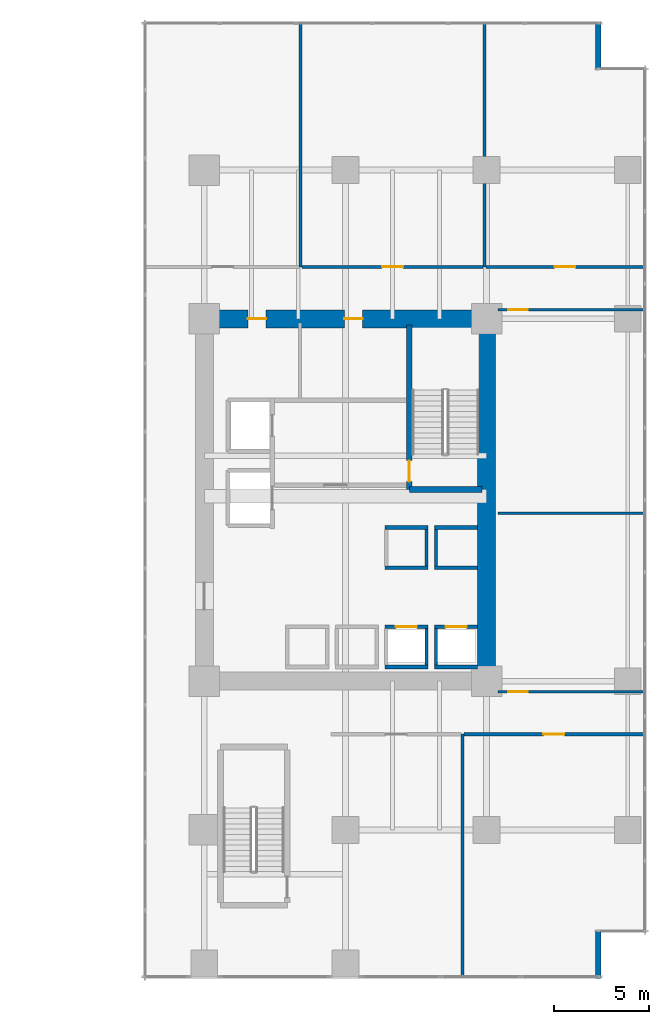
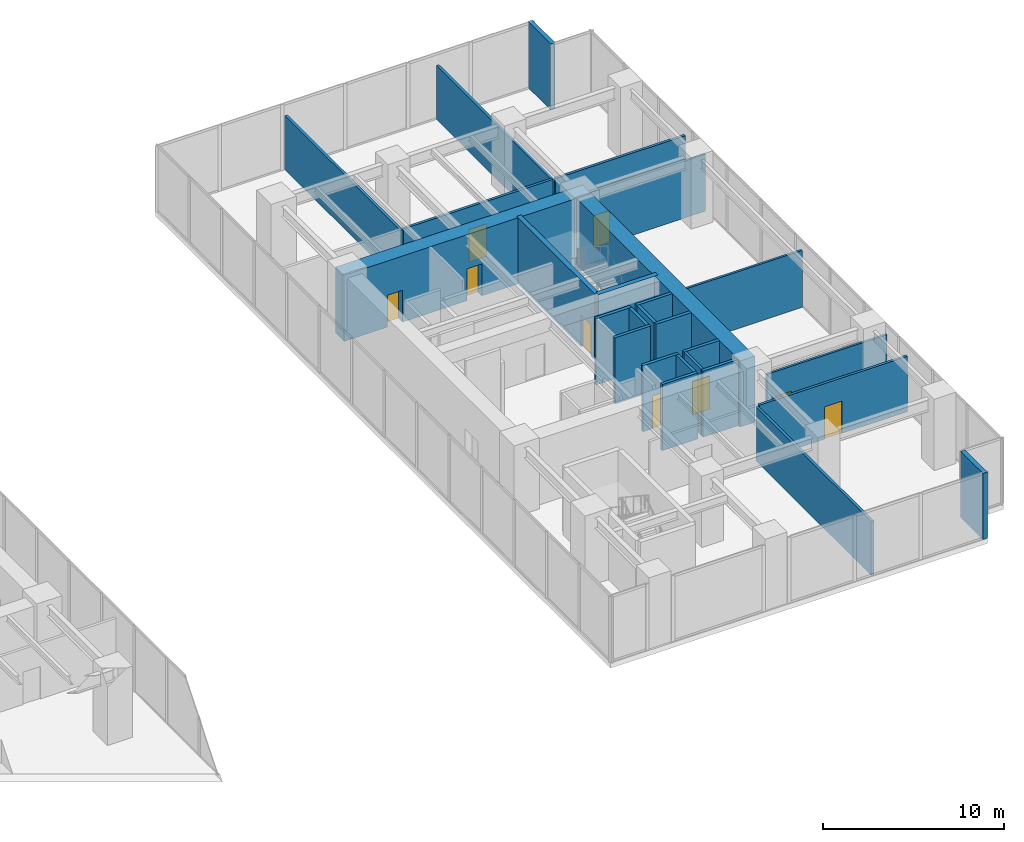
# One storey, part 27 of 32: 27 walls, 10 doors, 10 openings.
"""IFC4 building model written with IfcOpenShell, lengths in metres."""

from ifc_helpers import new_model, si_unit, direction, frame, frame_2d, origin, place, context, subcontext, project, spatial, rectangle, extrude, source, transform, mapped, material, layer, layer_set, type_object, type_shapes, element, fill, save


model = new_model("IFC4")

# Units and contexts
model_context = context("Model", 3, precision=1e-05, world=origin(), true_north=direction((0.0, 1.0)))
body_context = subcontext(model_context, "Body", "Model", "MODEL_VIEW")
ifc_project = project(units=[si_unit("LENGTHUNIT", "METRE"), si_unit("AREAUNIT", "SQUARE_METRE"), si_unit("VOLUMEUNIT", "CUBIC_METRE"), si_unit("PLANEANGLEUNIT", "RADIAN"), si_unit("MASSUNIT", "GRAM", prefix="KILO")], contexts=[model_context])

# Site, building, storey
site_placement = place(None, origin())
site = spatial("IfcSite", under=ifc_project, at=site_placement, CompositionType="ELEMENT")
building_placement = place(site_placement, origin())
building = spatial("IfcBuilding", under=site, at=building_placement, Name="Haelvirn Gate Laboratories", CompositionType="ELEMENT")
storey_placement = place(building_placement, frame((0.0, 0.0, 5.39990234375)))
storey = spatial("IfcBuildingStorey", under=building, at=storey_placement, Name="L02", CompositionType="ELEMENT", Elevation=5.39990234375)

# Walls
ifc_material_1 = material(Name="Thermally-broken bronze aluminium rainscreen & mineral wool", Category="aluminium")
ifc_layer_1 = layer(ifc_material_1, 0.280029296875, Name="EW-TERR-280")
ifc_layer_set_1 = layer_set([ifc_layer_1], Name="Thermally-broken bronze aluminium rainscreen & mineral wool")
wall_type_1 = type_object("IfcWallType", Name="EW-TERR-280", PredefinedType="STANDARD", material=ifc_layer_set_1)
wall_1_placement = place(storey_placement, frame((73.260009765625, -0.800048828125, 0.0), z_axis=(0.0, 0.0, 1.0), x_axis=(0.0, 1.0, 0.0)))
element("IfcWall", 1, at=wall_1_placement, inside=storey, type_object=wall_type_1, Name="L02 Atrium Recess Bronze Return Wall 01", PredefinedType="STANDARD", context=body_context, shape_type="SweptSolid", body=[
    extrude(rectangle(XDim=2.488037109375, YDim=0.280029296875, at=frame_2d((1.244140625, 0.0))), origin(), (0.0, 0.0, 1.0), 4.4501953125),
])
wall_2_placement = place(storey_placement, frame((73.260009765625, 46.912109375, 0.0), z_axis=(0.0, 0.0, 1.0), x_axis=(0.0, 1.0, 0.0)))
element("IfcWall", 2, at=wall_2_placement, inside=storey, type_object=wall_type_1, Name="L02 Atrium Recess Bronze Return Wall 05", PredefinedType="STANDARD", context=body_context, shape_type="SweptSolid", body=[
    extrude(rectangle(XDim=2.48779296875, YDim=0.280029296875, at=frame_2d((1.243896484375, 0.0))), origin(), (0.0, 0.0, 1.0), 4.4501953125),
])
ifc_material_2 = material(Name="Acoustic mineral-wool gypsum board partition", Category="gypsum")
ifc_layer_2 = layer(ifc_material_2, 0.139892578125, Name="IW-PART-140")
ifc_layer_set_2 = layer_set([ifc_layer_2], Name="Acoustic mineral-wool gypsum board partition")
wall_type_2 = type_object("IfcWallType", Name="IW-PART-140", PredefinedType="PARTITIONING", material=ifc_layer_set_2)
wall_3_placement = place(storey_placement, frame((68.0, 23.60009765625, 0.0), z_axis=(0.0, 0.0, 1.0), x_axis=(1.0, 0.0, 0.0)))
element("IfcWall", 3, at=wall_3_placement, inside=storey, type_object=wall_type_2, Name="L02 Interior Wall IW-L02-PODOUT-MID-E", PredefinedType="PARTITIONING", context=body_context, shape_type="SweptSolid", body=[
    extrude(rectangle(XDim=7.64990234375, YDim=0.139892578125, at=frame_2d((3.824951171875, 0.0))), origin(), (0.0, 0.0, 1.0), 3.835205078125),
])

# Wall, opening, door
wall_4_placement = place(storey_placement, frame((68.0, 14.25, 0.0), z_axis=(0.0, 0.0, 1.0), x_axis=(1.0, 0.0, 0.0)))
wall_4 = element("IfcWall", 4, at=wall_4_placement, inside=storey, type_object=wall_type_2, Name="L02 Interior Wall IW-L02-PODOUTW-E-S", PredefinedType="PARTITIONING", context=body_context, shape_type="SweptSolid", body=[
    extrude(rectangle(XDim=7.64990234375, YDim=0.139892578125, at=frame_2d((3.824951171875, 0.0))), origin(), (0.0, 0.0, 1.0), 3.835205078125),
])
opening_1_placement = place(wall_4_placement, frame((0.550048828125, 0.0, 0.0)))
opening_1 = element("IfcOpeningElement", 5, at=opening_1_placement, cuts=wall_4, Name="Opening D2", PredefinedType="OPENING", context=body_context, shape_type="SweptSolid", body=[
    extrude(rectangle(XDim=1.0, YDim=2.14990234375, at=frame_2d((0.5, 1.074951171875))), frame((0.0, 0.080078125, 0.0), z_axis=(0.0, -1.0, 0.0), x_axis=(1.0, 0.0, 0.0)), (0.0, 0.0, 1.0), 0.159912109375),
])
ifc_material_3 = material(Name="Acoustic solid-core timber suite door", Category="wood")
door_type_1 = type_object("IfcDoorType", Name="DR-INT-1000", OperationType="NOTDEFINED", PredefinedType="DOOR", material=ifc_material_3)
shared_shape_1 = source(origin(), body_context, "Body", "SweptSolid", [
    extrude(rectangle(XDim=1.0, YDim=2.14990234375, at=frame_2d((0.5, 1.074951171875))), frame((0.0, 0.02490234375, 0.0), z_axis=(0.0, -1.0, 0.0), x_axis=(1.0, 0.0, 0.0)), (0.0, 0.0, 1.0), 0.050048828125),
])
type_shapes(door_type_1, [shared_shape_1])
door_1_placement = place(opening_1_placement, origin())
door_1 = element("IfcDoor", 6, at=door_1_placement, inside=storey, type_object=door_type_1, Name="L02 Cryo-Preservation Bio-Repository Laboratory Outer Wing Door", OperationType="SINGLE_SWING_LEFT", OverallHeight=2.14990234375, OverallWidth=1.0, PredefinedType="DOOR", context=body_context, shape_type="MappedRepresentation", body=[
    mapped(shared_shape_1, transform((0.0, 0.0, 0.0), scale=1.0)),
])
fill(opening_1, door_1)

wall_5_placement = place(storey_placement, frame((68.0, 34.280029296875, 0.0), z_axis=(0.0, 0.0, 1.0), x_axis=(1.0, 0.0, 0.0)))
wall_5 = element("IfcWall", 7, at=wall_5_placement, inside=storey, type_object=wall_type_2, Name="L02 Interior Wall IW-L02-PODOUTW-E-N", PredefinedType="PARTITIONING", context=body_context, shape_type="SweptSolid", body=[
    extrude(rectangle(XDim=7.64990234375, YDim=0.139892578125, at=frame_2d((3.824951171875, 0.0))), origin(), (0.0, 0.0, 1.0), 3.835205078125),
])
opening_2_placement = place(wall_5_placement, frame((0.550048828125, 0.0, 0.0)))
opening_2 = element("IfcOpeningElement", 8, at=opening_2_placement, cuts=wall_5, Name="Opening D2", PredefinedType="OPENING", context=body_context, shape_type="SweptSolid", body=[
    extrude(rectangle(XDim=1.0, YDim=2.14990234375, at=frame_2d((0.5, 1.074951171875))), frame((0.0, 0.080078125, 0.0), z_axis=(0.0, -1.0, 0.0), x_axis=(1.0, 0.0, 0.0)), (0.0, 0.0, 1.0), 0.159912109375),
])
door_2_placement = place(opening_2_placement, origin())
door_2 = element("IfcDoor", 9, at=door_2_placement, inside=storey, type_object=door_type_1, Name="L02 Genomics Assay Laboratory Outer Wing Door", OperationType="SINGLE_SWING_RIGHT", OverallHeight=2.14990234375, OverallWidth=1.0, PredefinedType="DOOR", context=body_context, shape_type="MappedRepresentation", body=[
    mapped(shared_shape_1, transform((0.0, 0.0, 0.0), scale=1.0)),
])
fill(opening_2, door_2)

# Wall
ifc_material_4 = material(Name="Moisture-resistant gypsum laboratory partition", Category="gypsum")
ifc_layer_3 = layer(ifc_material_4, 0.1650390625, Name="IW-PART-160")
ifc_layer_set_3 = layer_set([ifc_layer_3], Name="Moisture-resistant gypsum laboratory partition")
wall_type_3 = type_object("IfcWallType", Name="IW-PART-160", PredefinedType="PARTITIONING", material=ifc_layer_set_3)
wall_6_placement = place(storey_placement, frame((66.137939453125, -0.68994140625, 0.0), z_axis=(0.0, 0.0, 1.0), x_axis=(0.0, 1.0, 0.0)))
element("IfcWall", 10, at=wall_6_placement, inside=storey, type_object=wall_type_3, Name="L02 Interior Wall IW-L02-PODSDIV-E-1", PredefinedType="PARTITIONING", context=body_context, shape_type="SweptSolid", body=[
    extrude(rectangle(XDim=12.7099609375, YDim=0.1650390625, at=frame_2d((6.35498046875, 0.0))), origin(), (0.0, 0.0, 1.0), 3.635009765625),
])

# Wall, opening, door
wall_7_placement = place(storey_placement, frame((66.218017578125, 12.02001953125, 0.0), z_axis=(0.0, 0.0, 1.0), x_axis=(1.0, 0.0, 0.0)))
wall_7 = element("IfcWall", 11, at=wall_7_placement, inside=storey, type_object=wall_type_3, Name="L02 Interior Wall IW-L02-PODS-E-2", PredefinedType="PARTITIONING", context=body_context, shape_type="SweptSolid", body=[
    extrude(rectangle(XDim=9.431884765625, YDim=0.1650390625, at=frame_2d((4.7158203125, 0.0))), origin(), (0.0, 0.0, 1.0), 3.735107421875),
])
opening_3_placement = place(wall_7_placement, frame((4.166015625, 0.0, 0.0)))
opening_3 = element("IfcOpeningElement", 12, at=opening_3_placement, cuts=wall_7, Name="Opening D1", PredefinedType="OPENING", context=body_context, shape_type="SweptSolid", body=[
    extrude(rectangle(XDim=1.10009765625, YDim=2.179931640625, at=frame_2d((0.550048828125, 1.08984375))), frame((0.0, 0.092529296875, 0.0), z_axis=(0.0, -1.0, 0.0), x_axis=(1.0, 0.0, 0.0)), (0.0, 0.0, 1.0), 0.18505859375),
])
ifc_material_5 = material(Name="Vision-panel acoustic solid-core timber lab door", Category="wood")
door_type_2 = type_object("IfcDoorType", Name="DR-LAB-1100", OperationType="NOTDEFINED", PredefinedType="DOOR", material=ifc_material_5)
shared_shape_2 = source(origin(), body_context, "Body", "SweptSolid", [
    extrude(rectangle(XDim=1.10009765625, YDim=2.179931640625, at=frame_2d((0.550048828125, 1.08984375))), frame((0.0, 0.02490234375, 0.0), z_axis=(0.0, -1.0, 0.0), x_axis=(1.0, 0.0, 0.0)), (0.0, 0.0, 1.0), 0.050048828125),
])
type_shapes(door_type_2, [shared_shape_2])
door_3_placement = place(opening_3_placement, origin())
door_3 = element("IfcDoor", 13, at=door_3_placement, inside=storey, type_object=door_type_2, Name="L02 Research Seminar & Review Room Door", OperationType="SINGLE_SWING_RIGHT", OverallHeight=2.179931640625, OverallWidth=1.10009765625, PredefinedType="DOOR", context=body_context, shape_type="MappedRepresentation", body=[
    mapped(shared_shape_2, transform((0.0, 0.0, 0.0), scale=1.0)),
])
fill(opening_3, door_3)

# Wall
wall_8_placement = place(storey_placement, frame((57.64111328125, 36.52001953125, 0.0), z_axis=(0.0, 0.0, 1.0), x_axis=(0.0, 1.0, 0.0)))
element("IfcWall", 14, at=wall_8_placement, inside=storey, type_object=wall_type_3, Name="L02 Interior Wall IW-L02-PODNDIV-E-1", PredefinedType="PARTITIONING", context=body_context, shape_type="SweptSolid", body=[
    extrude(rectangle(XDim=12.77001953125, YDim=0.1650390625, at=frame_2d((6.385009765625, 0.0))), origin(), (0.0, 0.0, 1.0), 3.635009765625),
])

# Wall, opening, door
wall_9_placement = place(storey_placement, frame((57.720947265625, 36.52001953125, 0.0), z_axis=(0.0, 0.0, 1.0), x_axis=(1.0, 0.0, 0.0)))
wall_9 = element("IfcWall", 15, at=wall_9_placement, inside=storey, type_object=wall_type_3, Name="L02 Interior Wall IW-L02-PODN-E-2", PredefinedType="PARTITIONING", context=body_context, shape_type="SweptSolid", body=[
    extrude(rectangle(XDim=9.4970703125, YDim=0.1650390625, at=frame_2d((4.74853515625, 0.0))), origin(), (0.0, 0.0, 1.0), 3.735107421875),
])
opening_4_placement = place(wall_9_placement, frame((4.198486328125, 0.0, 0.0)))
opening_4 = element("IfcOpeningElement", 16, at=opening_4_placement, cuts=wall_9, Name="Opening D1", PredefinedType="OPENING", context=body_context, shape_type="SweptSolid", body=[
    extrude(rectangle(XDim=1.10009765625, YDim=2.179931640625, at=frame_2d((0.550048828125, 1.08984375))), frame((0.0, 0.092529296875, 0.0), z_axis=(0.0, -1.0, 0.0), x_axis=(1.0, 0.0, 0.0)), (0.0, 0.0, 1.0), 0.18505859375),
])
door_4_placement = place(opening_4_placement, origin())
door_4 = element("IfcDoor", 17, at=door_4_placement, inside=storey, type_object=door_type_2, Name="L02 Bioprocess Foundry Laboratory North Door", OperationType="SINGLE_SWING_LEFT", OverallHeight=2.179931640625, OverallWidth=1.10009765625, PredefinedType="DOOR", context=body_context, shape_type="MappedRepresentation", body=[
    mapped(shared_shape_2, transform((0.0, 0.0, 0.0), scale=1.0)),
])
fill(opening_4, door_4)

# Wall
wall_10_placement = place(storey_placement, frame((67.298095703125, 36.52001953125, 0.0), z_axis=(0.0, 0.0, 1.0), x_axis=(0.0, 1.0, 0.0)))
element("IfcWall", 18, at=wall_10_placement, inside=storey, type_object=wall_type_3, Name="L02 Interior Wall IW-L02-PODNDIV-E-2", PredefinedType="PARTITIONING", context=body_context, shape_type="SweptSolid", body=[
    extrude(rectangle(XDim=12.77001953125, YDim=0.1650390625, at=frame_2d((6.385009765625, 0.0))), origin(), (0.0, 0.0, 1.0), 3.635009765625),
])

# Wall, opening, door
wall_11_placement = place(storey_placement, frame((67.3779296875, 36.52001953125, 0.0), z_axis=(0.0, 0.0, 1.0), x_axis=(1.0, 0.0, 0.0)))
wall_11 = element("IfcWall", 19, at=wall_11_placement, inside=storey, type_object=wall_type_3, Name="L02 Interior Wall IW-L02-PODN-E-3", PredefinedType="PARTITIONING", context=body_context, shape_type="SweptSolid", body=[
    extrude(rectangle(XDim=8.27197265625, YDim=0.1650390625, at=frame_2d((4.135986328125, 0.0))), origin(), (0.0, 0.0, 1.0), 3.735107421875),
])
opening_5_placement = place(wall_11_placement, frame((3.5859375, 0.0, 0.0)))
opening_5 = element("IfcOpeningElement", 20, at=opening_5_placement, cuts=wall_11, Name="Opening D1", PredefinedType="OPENING", context=body_context, shape_type="SweptSolid", body=[
    extrude(rectangle(XDim=1.10009765625, YDim=2.179931640625, at=frame_2d((0.550048828125, 1.08984375))), frame((0.0, 0.092529296875, 0.0), z_axis=(0.0, -1.0, 0.0), x_axis=(1.0, 0.0, 0.0)), (0.0, 0.0, 1.0), 0.18505859375),
])
door_5_placement = place(opening_5_placement, origin())
door_5 = element("IfcDoor", 21, at=door_5_placement, inside=storey, type_object=door_type_2, Name="L02 Genomics Assay Laboratory North Door", OperationType="SINGLE_SWING_RIGHT", OverallHeight=2.179931640625, OverallWidth=1.10009765625, PredefinedType="DOOR", context=body_context, shape_type="MappedRepresentation", body=[
    mapped(shared_shape_2, transform((0.0, 0.0, 0.0), scale=1.0)),
])
fill(opening_5, door_5)

# Walls
ifc_material_6 = material(Name="Concrete C40/50", Category="concrete")
ifc_layer_4 = layer(ifc_material_6, 0.179931640625, Name="IW-SHAFT-180")
ifc_layer_set_4 = layer_set([ifc_layer_4], Name="Concrete C40/50")
wall_type_4 = type_object("IfcWallType", Name="IW-SHAFT-180", PredefinedType="SOLIDWALL", material=ifc_layer_set_4)
for number, where, z_axis, x_axis, name in (
    (22, (64.75, 15.64990234375, 0.0), (0.0, 0.0, 1.0), (0.0, 1.0, 0.0), "L02 Interior Wall IW-L02-PL3-SD"),
    (23, (64.25, 15.64990234375, 0.0), (0.0, 0.0, 1.0), (0.0, 1.0, 0.0), "L02 Interior Wall IW-L02-PL4-SDE"),
):
    element("IfcWall", number, at=place(storey_placement, frame(where, z_axis=z_axis, x_axis=x_axis)), inside=storey, type_object=wall_type_4, Name=name, PredefinedType="SOLIDWALL", context=body_context, shape_type="SweptSolid", body=[
        extrude(rectangle(XDim=1.900146484375, YDim=0.179931640625, at=frame_2d((0.9501953125, 0.0))), origin(), (0.0, 0.0, 1.0), 4.4501953125),
    ])
for number, where, z_axis, x_axis, name in (
    (24, (64.75, 20.85009765625, 0.0), (0.0, 0.0, 1.0), (0.0, 1.0, 0.0), "L02 Interior Wall IW-L02-PL11-SD"),
    (25, (64.25, 20.85009765625, 0.0), (0.0, 0.0, 1.0), (0.0, 1.0, 0.0), "L02 Interior Wall IW-L02-PL12-SDE"),
):
    element("IfcWall", number, at=place(storey_placement, frame(where, z_axis=z_axis, x_axis=x_axis)), inside=storey, type_object=wall_type_4, Name=name, PredefinedType="SOLIDWALL", context=body_context, shape_type="SweptSolid", body=[
        extrude(rectangle(XDim=1.89990234375, YDim=0.179931640625, at=frame_2d((0.949951171875, 0.0))), origin(), (0.0, 0.0, 1.0), 4.4501953125),
    ])

# Wall, opening, door
ifc_layer_5 = layer(ifc_material_6, 0.199951171875, Name="IW-SHAFT-200")
ifc_layer_set_5 = layer_set([ifc_layer_5], Name="Concrete C40/50")
wall_type_5 = type_object("IfcWallType", Name="IW-SHAFT-200", PredefinedType="SOLIDWALL", material=ifc_layer_set_5)
wall_12_placement = place(storey_placement, frame((64.669921875, 17.64990234375, 0.0), z_axis=(0.0, 0.0, 1.0), x_axis=(1.0, 0.0, 0.0)))
wall_12 = element("IfcWall", 26, at=wall_12_placement, inside=storey, type_object=wall_type_5, Name="L02 Interior Wall IW-L02-PL3-FR", PredefinedType="SOLIDWALL", context=body_context, shape_type="SweptSolid", body=[
    extrude(rectangle(XDim=2.260009765625, YDim=0.199951171875, at=frame_2d((1.1298828125, 0.0))), origin(), (0.0, 0.0, 1.0), 4.4501953125),
])
opening_6_placement = place(wall_12_placement, frame((0.580078125, 0.0, 0.0)))
opening_6 = element("IfcOpeningElement", 27, at=opening_6_placement, cuts=wall_12, Name="Opening LD2", PredefinedType="OPENING", context=body_context, shape_type="SweptSolid", body=[
    extrude(rectangle(XDim=1.10009765625, YDim=2.219970703125, at=frame_2d((0.550048828125, 1.10986328125))), frame((0.0, 0.10986328125, 0.0), z_axis=(0.0, -1.0, 0.0), x_axis=(1.0, 0.0, 0.0)), (0.0, 0.0, 1.0), 0.219970703125),
])
ifc_material_7 = material(Name="Bronze stainless 316L sliding lift landing door")
door_type_3 = type_object("IfcDoorType", Name="DR-LD-1100", OperationType="NOTDEFINED", PredefinedType="USERDEFINED", material=ifc_material_7)
shared_shape_3 = source(origin(), body_context, "Body", "SweptSolid", [
    extrude(rectangle(XDim=1.10009765625, YDim=2.219970703125, at=frame_2d((0.550048828125, 1.10986328125))), frame((0.0, 0.02490234375, 0.0), z_axis=(0.0, -1.0, 0.0), x_axis=(1.0, 0.0, 0.0)), (0.0, 0.0, 1.0), 0.050048828125),
])
type_shapes(door_type_3, [shared_shape_3])
door_6_placement = place(opening_6_placement, origin())
door_6 = element("IfcDoor", 28, at=door_6_placement, inside=storey, type_object=door_type_3, Name="L02 Passenger Lift PL3 Landing Door", ObjectType="LANDING_DOOR", OperationType="SLIDING_TO_LEFT", OverallHeight=2.219970703125, OverallWidth=1.10009765625, PredefinedType="USERDEFINED", context=body_context, shape_type="MappedRepresentation", body=[
    mapped(shared_shape_3, transform((0.0, 0.0, 0.0), scale=1.0)),
])
fill(opening_6, door_6)

# Wall
wall_13_placement = place(storey_placement, frame((64.669921875, 15.550048828125, 0.0), z_axis=(0.0, 0.0, 1.0), x_axis=(1.0, 0.0, 0.0)))
element("IfcWall", 29, at=wall_13_placement, inside=storey, type_object=wall_type_5, Name="L02 Interior Wall IW-L02-PL3-BK", PredefinedType="SOLIDWALL", context=body_context, shape_type="SweptSolid", body=[
    extrude(rectangle(XDim=2.260009765625, YDim=0.199951171875, at=frame_2d((1.1298828125, 0.0))), origin(), (0.0, 0.0, 1.0), 4.4501953125),
])

# Wall, opening, door
wall_14_placement = place(storey_placement, frame((62.070068359375, 17.64990234375, 0.0), z_axis=(0.0, 0.0, 1.0), x_axis=(1.0, 0.0, 0.0)))
wall_14 = element("IfcWall", 30, at=wall_14_placement, inside=storey, type_object=wall_type_5, Name="L02 Interior Wall IW-L02-PL4-FR", PredefinedType="SOLIDWALL", context=body_context, shape_type="SweptSolid", body=[
    extrude(rectangle(XDim=2.260009765625, YDim=0.199951171875, at=frame_2d((1.1298828125, 0.0))), origin(), (0.0, 0.0, 1.0), 4.4501953125),
])
opening_7_placement = place(wall_14_placement, frame((0.580078125, 0.0, 0.0)))
opening_7 = element("IfcOpeningElement", 31, at=opening_7_placement, cuts=wall_14, Name="Opening LD2", PredefinedType="OPENING", context=body_context, shape_type="SweptSolid", body=[
    extrude(rectangle(XDim=1.10009765625, YDim=2.219970703125, at=frame_2d((0.550048828125, 1.10986328125))), frame((0.0, 0.10986328125, 0.0), z_axis=(0.0, -1.0, 0.0), x_axis=(1.0, 0.0, 0.0)), (0.0, 0.0, 1.0), 0.219970703125),
])
door_7_placement = place(opening_7_placement, origin())
door_7 = element("IfcDoor", 32, at=door_7_placement, inside=storey, type_object=door_type_3, Name="L02 Passenger Lift PL4 Landing Door", ObjectType="LANDING_DOOR", OperationType="SLIDING_TO_RIGHT", OverallHeight=2.219970703125, OverallWidth=1.10009765625, PredefinedType="USERDEFINED", context=body_context, shape_type="MappedRepresentation", body=[
    mapped(shared_shape_3, transform((0.0, 0.0, 0.0), scale=1.0)),
])
fill(opening_7, door_7)

# Walls
for number, where, z_axis, x_axis, name in (
    (33, (62.070068359375, 15.550048828125, 0.0), (0.0, 0.0, 1.0), (1.0, 0.0, 0.0), "L02 Interior Wall IW-L02-PL4-BK"),
    (34, (64.669921875, 20.75, 0.0), (0.0, 0.0, 1.0), (1.0, 0.0, 0.0), "L02 Interior Wall IW-L02-PL11-FR"),
    (35, (64.669921875, 22.85009765625, 0.0), (0.0, 0.0, 1.0), (1.0, 0.0, 0.0), "L02 Interior Wall IW-L02-PL11-BK"),
    (36, (62.070068359375, 20.75, 0.0), (0.0, 0.0, 1.0), (1.0, 0.0, 0.0), "L02 Interior Wall IW-L02-PL12-FR"),
    (37, (62.070068359375, 22.85009765625, 0.0), (0.0, 0.0, 1.0), (1.0, 0.0, 0.0), "L02 Interior Wall IW-L02-PL12-BK"),
):
    element("IfcWall", number, at=place(storey_placement, frame(where, z_axis=z_axis, x_axis=x_axis)), inside=storey, type_object=wall_type_5, Name=name, PredefinedType="SOLIDWALL", context=body_context, shape_type="SweptSolid", body=[
        extrude(rectangle(XDim=2.260009765625, YDim=0.199951171875, at=frame_2d((1.1298828125, 0.0))), origin(), (0.0, 0.0, 1.0), 4.4501953125),
    ])

# Wall, openings, doors
ifc_material_8 = material(Name="Concrete C70/85", Category="concrete")
ifc_layer_6 = layer(ifc_material_8, 0.949951171875, Name="SW-CORE-950")
ifc_layer_set_6 = layer_set([ifc_layer_6], Name="Concrete C70/85")
wall_type_6 = type_object("IfcWallType", Name="SW-CORE-950", PredefinedType="SHEAR", material=ifc_layer_set_6)
wall_15_placement = place(storey_placement, frame((52.125, 33.800048828125, 0.0), z_axis=(0.0, 0.0, 1.0), x_axis=(1.0, 0.0, 0.0)))
wall_15 = element("IfcWall", 38, at=wall_15_placement, inside=storey, type_object=wall_type_6, Name="L02 E Core Shear Wall N", PredefinedType="SHEAR", context=body_context, shape_type="SweptSolid", body=[
    extrude(rectangle(XDim=15.75, YDim=0.949951171875, at=frame_2d((7.875, 0.0))), origin(), (0.0, 0.0, 1.0), 4.4501953125),
])
opening_8_placement = place(wall_15_placement, frame((7.824951171875, 0.0, 0.0)))
opening_8 = element("IfcOpeningElement", 39, at=opening_8_placement, cuts=wall_15, Name="Opening FD4", PredefinedType="OPENING", context=body_context, shape_type="SweptSolid", body=[
    extrude(rectangle(XDim=0.949951171875, YDim=2.14990234375, at=frame_2d((0.47509765625, 1.074951171875))), frame((0.0, 0.48486328125, 0.0), z_axis=(0.0, -1.0, 0.0), x_axis=(1.0, 0.0, 0.0)), (0.0, 0.0, 1.0), 0.969970703125),
])
opening_9_placement = place(wall_15_placement, frame((2.760009765625, 0.0, 0.0)))
opening_9 = element("IfcOpeningElement", 40, at=opening_9_placement, cuts=wall_15, Name="Opening FD4", PredefinedType="OPENING", context=body_context, shape_type="SweptSolid", body=[
    extrude(rectangle(XDim=0.949951171875, YDim=2.14990234375, at=frame_2d((0.47509765625, 1.074951171875))), frame((0.0, 0.48486328125, 0.0), z_axis=(0.0, -1.0, 0.0), x_axis=(1.0, 0.0, 0.0)), (0.0, 0.0, 1.0), 0.969970703125),
])
ifc_material_9 = material(Name="Fire-rated steel SM355 core service door", Category="steel")
door_type_4 = type_object("IfcDoorType", Name="DR-FD-950", OperationType="NOTDEFINED", PredefinedType="DOOR", material=ifc_material_9)
shared_shape_4 = source(origin(), body_context, "Body", "SweptSolid", [
    extrude(rectangle(XDim=0.949951171875, YDim=2.14990234375, at=frame_2d((0.47509765625, 1.074951171875))), frame((0.0, 0.02490234375, 0.0), z_axis=(0.0, -1.0, 0.0), x_axis=(1.0, 0.0, 0.0)), (0.0, 0.0, 1.0), 0.050048828125),
])
type_shapes(door_type_4, [shared_shape_4])
door_8_placement = place(opening_8_placement, origin())
door_8 = element("IfcDoor", 41, at=door_8_placement, inside=storey, type_object=door_type_4, Name="L02 All-Gender Multi-Stall Restroom Fire Door", OperationType="SINGLE_SWING_LEFT", OverallHeight=2.14990234375, OverallWidth=0.949951171875, PredefinedType="DOOR", context=body_context, shape_type="MappedRepresentation", body=[
    mapped(shared_shape_4, transform((0.0, 0.0, 0.0), scale=1.0)),
])
fill(opening_8, door_8)
door_9_placement = place(opening_9_placement, origin())
door_9 = element("IfcDoor", 42, at=door_9_placement, inside=storey, type_object=door_type_4, Name="L02 Accessible Restroom Fire Door", OperationType="SINGLE_SWING_RIGHT", OverallHeight=2.14990234375, OverallWidth=0.949951171875, PredefinedType="DOOR", context=body_context, shape_type="MappedRepresentation", body=[
    mapped(shared_shape_4, transform((0.0, 0.0, 0.0), scale=1.0)),
])
fill(opening_9, door_9)

# Wall
wall_16_placement = place(storey_placement, frame((67.39990234375, 15.27490234375, 0.0), z_axis=(0.0, 0.0, 1.0), x_axis=(0.0, 1.0, 0.0)))
element("IfcWall", 43, at=wall_16_placement, inside=storey, type_object=wall_type_6, Name="L02 E Core Shear Wall E", PredefinedType="SHEAR", context=body_context, shape_type="SweptSolid", body=[
    extrude(rectangle(XDim=18.050048828125, YDim=0.949951171875, at=frame_2d((9.02490234375, 0.0))), origin(), (0.0, 0.0, 1.0), 4.4501953125),
])

# Wall, opening, door
ifc_material_10 = material(Name="Concrete C50/60", Category="concrete")
ifc_layer_7 = layer(ifc_material_10, 0.300048828125, Name="SW-STAIR-300")
ifc_layer_set_7 = layer_set([ifc_layer_7], Name="Concrete C50/60")
wall_type_7 = type_object("IfcWallType", Name="SW-STAIR-300", PredefinedType="SHEAR", material=ifc_layer_set_7)
wall_17_placement = place(storey_placement, frame((63.35009765625, 24.85009765625, 0.0), z_axis=(0.0, 0.0, 1.0), x_axis=(0.0, 1.0, 0.0)))
wall_17 = element("IfcWall", 44, at=wall_17_placement, inside=storey, type_object=wall_type_7, Name="L02 E Core Stair Shaft Structural Wall IN", PredefinedType="SHEAR", context=body_context, shape_type="SweptSolid", body=[
    extrude(rectangle(XDim=8.6298828125, YDim=0.300048828125, at=frame_2d((4.31494140625, 0.0))), origin(), (0.0, 0.0, 1.0), 4.4501953125),
])
opening_10_placement = place(wall_17_placement, frame((0.419921875, 0.0, 0.0)))
opening_10 = element("IfcOpeningElement", 45, at=opening_10_placement, cuts=wall_17, Name="Opening FD3", PredefinedType="OPENING", context=body_context, shape_type="SweptSolid", body=[
    extrude(rectangle(XDim=1.10009765625, YDim=2.14990234375, at=frame_2d((0.550048828125, 1.074951171875))), frame((0.0, 0.16015625, 0.0), z_axis=(0.0, -1.0, 0.0), x_axis=(1.0, 0.0, 0.0)), (0.0, 0.0, 1.0), 0.320068359375),
])
ifc_material_11 = material(Name="Fire-rated steel SM355 escape stair door", Category="steel")
door_type_5 = type_object("IfcDoorType", Name="DR-FD-1100", OperationType="NOTDEFINED", PredefinedType="DOOR", material=ifc_material_11)
shared_shape_5 = source(origin(), body_context, "Body", "SweptSolid", [
    extrude(rectangle(XDim=1.10009765625, YDim=2.14990234375, at=frame_2d((0.550048828125, 1.074951171875))), frame((0.0, 0.02490234375, 0.0), z_axis=(0.0, -1.0, 0.0), x_axis=(1.0, 0.0, 0.0)), (0.0, 0.0, 1.0), 0.050048828125),
])
type_shapes(door_type_5, [shared_shape_5])
door_10_placement = place(opening_10_placement, origin())
door_10 = element("IfcDoor", 46, at=door_10_placement, inside=storey, type_object=door_type_5, Name="L02 Escape Stair ST2 Fire Door", OperationType="SINGLE_SWING_RIGHT", OverallHeight=2.14990234375, OverallWidth=1.10009765625, PredefinedType="DOOR", context=body_context, shape_type="MappedRepresentation", body=[
    mapped(shared_shape_5, transform((0.0, 0.0, 0.0), scale=1.0)),
])
fill(opening_10, door_10)

# Wall
wall_18_placement = place(storey_placement, frame((63.35009765625, 24.85009765625, 0.0), z_axis=(0.0, 0.0, 1.0), x_axis=(1.0, 0.0, 0.0)))
element("IfcWall", 47, at=wall_18_placement, inside=storey, type_object=wall_type_7, Name="L02 E Core Stair Shaft Structural Wall S", PredefinedType="SHEAR", context=body_context, shape_type="SweptSolid", body=[
    extrude(rectangle(XDim=3.7998046875, YDim=0.300048828125, at=frame_2d((1.89990234375, 0.0))), origin(), (0.0, 0.0, 1.0), 4.4501953125),
])

save(model, "model.ifc")
